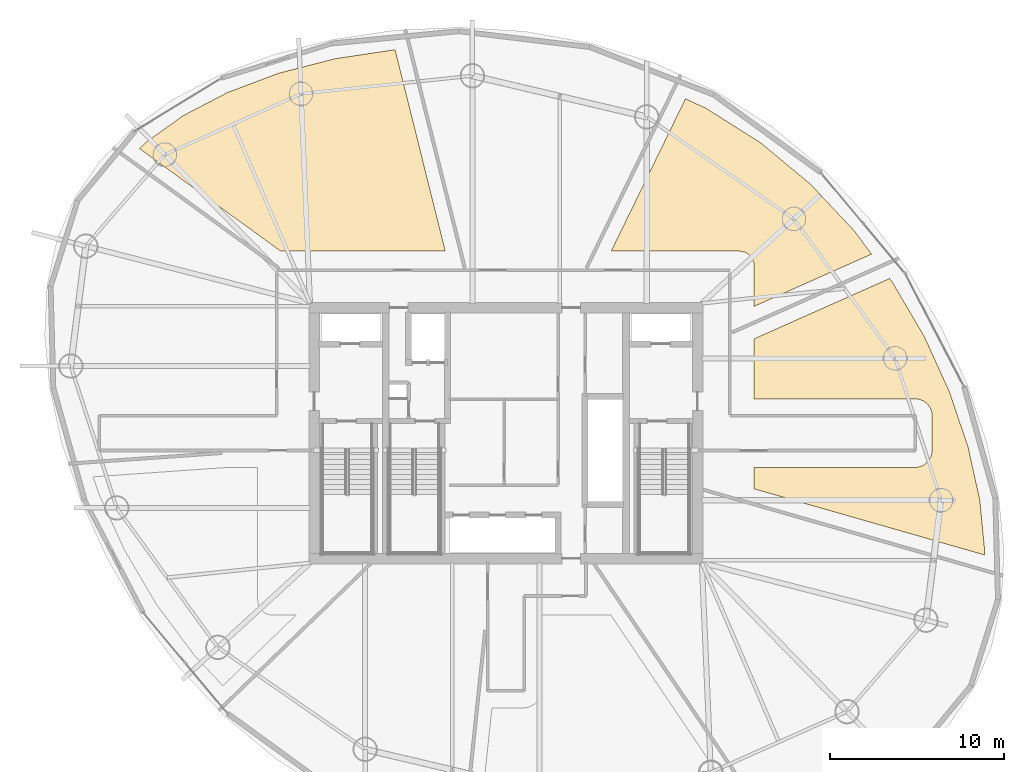
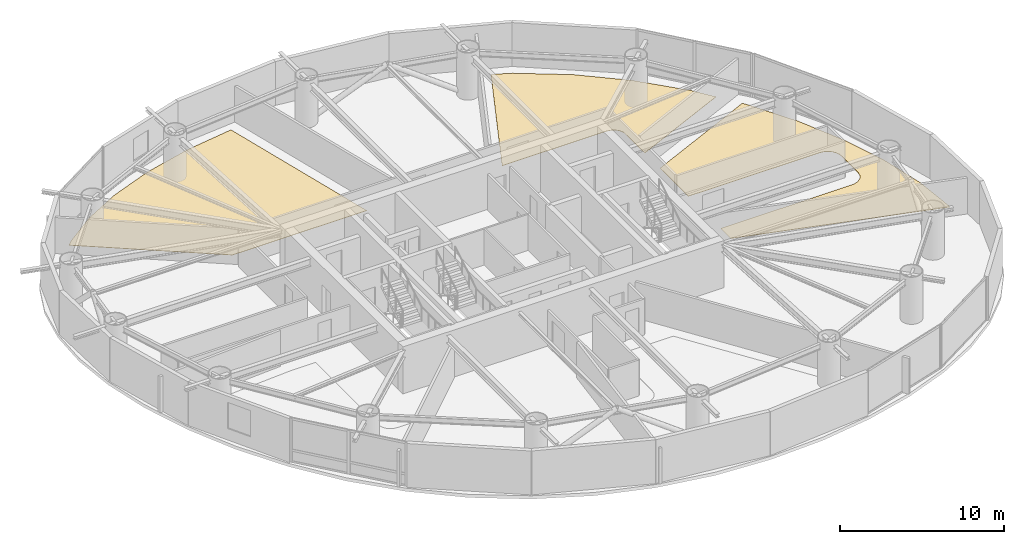
# One storey, part 20 of 20: 3 coverings.
"""IFC4 building model written with IfcOpenShell, lengths in metres."""

from ifc_helpers import new_model, si_unit, direction, frame, origin, place, context, subcontext, project, spatial, polyline, outline, extrude, material, layer, layer_set, type_object, element, save


model = new_model("IFC4")

# Units and contexts
model_context = context("Model", 3, precision=1e-05, world=origin(), true_north=direction((0.0, 1.0)))
body_context = subcontext(model_context, "Body", "Model", "MODEL_VIEW")
ifc_project = project(units=[si_unit("LENGTHUNIT", "METRE"), si_unit("AREAUNIT", "SQUARE_METRE"), si_unit("VOLUMEUNIT", "CUBIC_METRE"), si_unit("PLANEANGLEUNIT", "RADIAN"), si_unit("MASSUNIT", "GRAM", prefix="KILO")], contexts=[model_context])

# Site, building, storey
site_placement = place(None, origin())
site = spatial("IfcSite", under=ifc_project, at=site_placement, CompositionType="ELEMENT")
building_placement = place(site_placement, origin())
building = spatial("IfcBuilding", under=site, at=building_placement, Name="Bramvorn Convention Spire", CompositionType="ELEMENT")
storey_placement = place(building_placement, frame((0.0, 0.0, 144.800048828125)))
storey = spatial("IfcBuildingStorey", under=building, at=storey_placement, Name="L36", CompositionType="ELEMENT", Elevation=144.800048828125)

# Coverings
ifc_material = material(Name="Honed Dolomitic Limestone Terrazzo Flooring", Category="masonry")
ifc_layer = layer(ifc_material, 0.02490234375)
ifc_layer_set = layer_set([ifc_layer], Name="Honed Dolomitic Limestone Terrazzo Flooring - FLR-TERRAZZO-25")
covering_type = type_object("IfcCoveringType", Name="FLR-TERRAZZO-25", PredefinedType="FLOORING", material=ifc_layer_set)
covering_1_placement = place(storey_placement, origin())
element("IfcCovering", 1, at=covering_1_placement, inside=storey, type_object=covering_type, Name="L36 Executive Dining Salon 1 1 raised floor finish", PredefinedType="FLOORING", context=body_context, shape_type="SweptSolid", body=[
    extrude(outline(polyline([(49.49072265625, 44.648193359375), (48.306884765625, 45.193359375), (44.04248046875, 36.449951171875), (51.39990234375, 36.449951171875), (51.725341796875, 36.38525390625), (51.872314453125, 36.306640625), (52.05712890625, 36.13916015625), (52.185302734375, 35.92529296875), (52.233642578125, 35.765869140625), (52.25, 33.27490234375), (58.990966796875, 36.276123046875), (58.001220703125, 37.609619140625), (55.46826171875, 40.30615234375), (52.619384765625, 42.672119140625), (49.49072265625, 44.648193359375)])), origin(), (0.0, 0.0, 1.0), 0.02490234375),
])
covering_2_placement = place(storey_placement, origin())
element("IfcCovering", 2, at=covering_2_placement, inside=storey, type_object=covering_type, Name="L36 Butler Catering Kitchen 3 raised floor finish", PredefinedType="FLOORING", context=body_context, shape_type="SweptSolid", body=[
    extrude(outline(polyline([(17.28955078125, 42.66259765625), (16.96337890625, 42.334716796875), (25.06298828125, 36.449951171875), (34.5185546875, 36.449951171875), (31.6357421875, 48.01171875), (28.21435546875, 47.499755859375), (24.978759765625, 46.669677734375), (22.04296875, 45.566650390625), (19.46630859375, 44.22314453125), (17.28955078125, 42.66259765625)])), origin(), (0.0, 0.0, 1.0), 0.02490234375),
])
covering_3_placement = place(storey_placement, origin())
element("IfcCovering", 3, at=covering_3_placement, inside=storey, type_object=covering_type, Name="L36 Executive Dining Salon 2 9 raised floor finish", PredefinedType="FLOORING", context=body_context, shape_type="SweptSolid", body=[
    extrude(outline(polyline([(60.191162109375, 34.6591796875), (60.029052734375, 34.87744140625), (52.25, 31.4140625), (52.25, 27.969970703125), (61.5, 27.969970703125), (61.741455078125, 27.939453125), (62.003662109375, 27.828857421875), (62.214599609375, 27.65576171875), (62.374267578125, 27.419921875), (62.442138671875, 27.22998046875), (62.469970703125, 27.0), (62.469970703125, 25.0), (62.4111328125, 24.667724609375), (62.214599609375, 24.34423828125), (61.919921875, 24.125732421875), (61.553466796875, 24.031494140625), (52.25, 24.030029296875), (52.25, 22.798095703125), (65.47607421875, 19.005615234375), (65.48681640625, 19.236083984375), (65.210205078125, 22.12890625), (64.5361328125, 25.19189453125), (63.469970703125, 28.357421875), (62.0185546875, 31.543701171875), (60.191162109375, 34.6591796875)])), origin(), (0.0, 0.0, 1.0), 0.02490234375),
])

save(model, "model.ifc")
